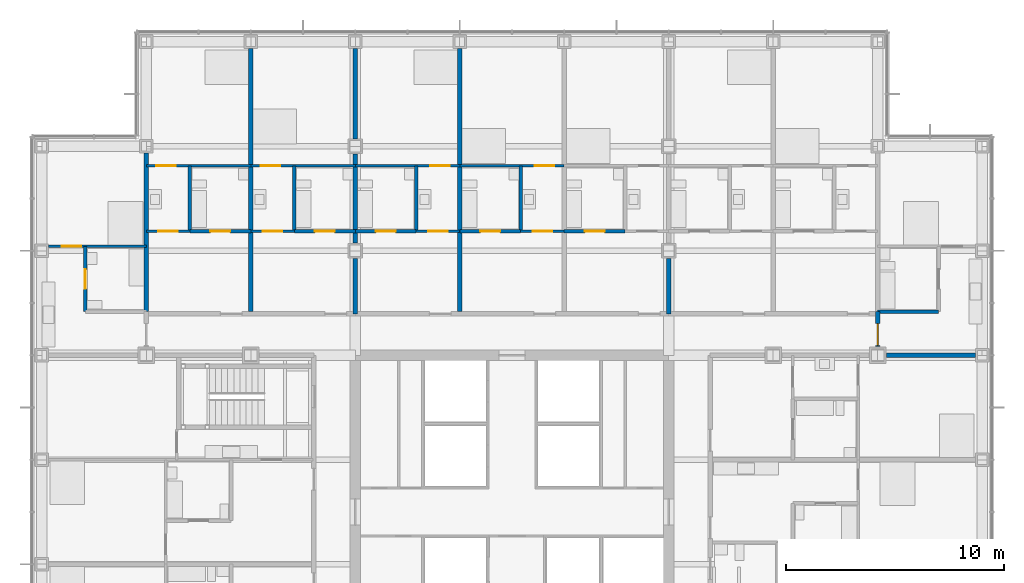
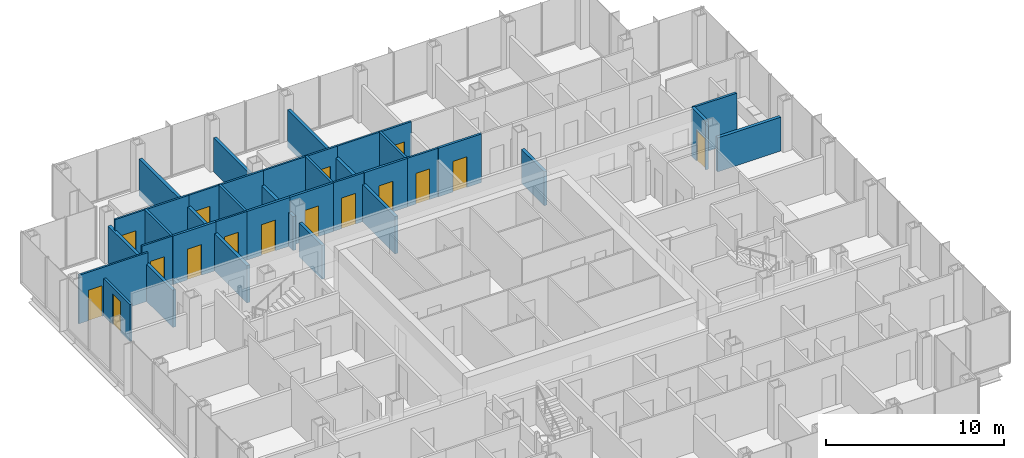
# One storey, part 18 of 22: 29 walls, 16 doors, 16 openings.
"""IFC4 building model written with IfcOpenShell, lengths in metres."""

import ifcopenshell
import ifcopenshell.guid

model = None  # the IFC model being written
_history = None  # IfcOwnerHistory: only IFC2X3 demands one
_inside = {}  # id of a spatial element -> (the spatial element, [elements in it])
_under = {}  # id of a project, library or spatial element -> (it, [spatial elements below it])
_declared = {}  # id of a project -> (the project, [libraries it declares])
_typed = {}  # id of a type object -> (the type object, [elements of that type])
_made_of = {}  # id of a material, layer set ... -> (it, [elements and type objects made of it])


def new_model(schema):
    """Start an empty IFC model of exactly this schema.

    Asked for "IFC4X3", IfcOpenShell would pick the latest addendum, in which some entities
    have other attributes; the version numbers below select the first issue.
    IFC2X3 requires an IfcOwnerHistory on every rooted entity: one is made here for all.
    """
    global model, _history
    if schema == "IFC4X3":
        model = ifcopenshell.file(schema_version=(4, 3, 0, 0))
    else:
        model = ifcopenshell.file(schema=schema)
    _inside.clear()
    _under.clear()
    _declared.clear()
    _typed.clear()
    _made_of.clear()
    _history = None
    if model.schema == "IFC2X3":
        org = make("IfcOrganization", Name="unknown")
        user = make(
            "IfcPersonAndOrganization",
            ThePerson=make("IfcPerson", FamilyName="unknown"),
            TheOrganization=org,
        )
        app = make(
            "IfcApplication",
            ApplicationDeveloper=org,
            Version="unknown",
            ApplicationFullName="unknown",
            ApplicationIdentifier="unknown",
        )
        _history = make(
            "IfcOwnerHistory",
            OwningUser=user,
            OwningApplication=app,
            ChangeAction="ADDED",
            CreationDate=0,
        )
    return model


def make(cls, **values):
    """One entity of the class cls with the attributes given. An attribute that is None is left unset."""
    return model.create_entity(
        cls, **{name: value for name, value in values.items() if value is not None}
    )


def rooted(cls, **values):
    """An entity with a GlobalId (a new one), such as an element, a storey or a relation."""
    return make(cls, GlobalId=ifcopenshell.guid.new(), OwnerHistory=_history, **values)


def si_unit(unit_type, name, prefix=None):
    """IfcSIUnit, for example si_unit("LENGTHUNIT", "METRE", prefix="MILLI")."""
    return make("IfcSIUnit", UnitType=unit_type, Prefix=prefix, Name=name)


def assignment(units):
    """IfcUnitAssignment: the units of a project."""
    return None if units is None else make("IfcUnitAssignment", Units=units)


def point(xyz):
    """IfcCartesianPoint."""
    return None if xyz is None else make("IfcCartesianPoint", Coordinates=xyz)


def direction(xyz):
    """IfcDirection."""
    return None if xyz is None else make("IfcDirection", DirectionRatios=xyz)


def frame(location, z_axis=None, x_axis=None):
    """IfcAxis2Placement3D, a coordinate frame: its origin and axes. An axis left out is left unset."""
    return make(
        "IfcAxis2Placement3D",
        Location=point(location),
        Axis=direction(z_axis),
        RefDirection=direction(x_axis),
    )


def frame_2d(location, x_axis=None):
    """IfcAxis2Placement2D, a coordinate frame in the plane: its origin and x axis."""
    return make(
        "IfcAxis2Placement2D", Location=point(location), RefDirection=direction(x_axis)
    )


def origin():
    """The frame at (0, 0, 0) with its axes left unset."""
    return frame((0.0, 0.0, 0.0))


def place(relative_to, where):
    """IfcLocalPlacement: puts the frame where relative to a parent placement (None: the world)."""
    return make(
        "IfcLocalPlacement", PlacementRelTo=relative_to, RelativePlacement=where
    )


def context(
    kind, dimensions, precision=None, world=None, true_north=None, identifier=None
):
    """IfcGeometricRepresentationContext, for example the 3D "Model" context."""
    return make(
        "IfcGeometricRepresentationContext",
        ContextIdentifier=identifier,
        ContextType=kind,
        CoordinateSpaceDimension=dimensions,
        Precision=precision,
        WorldCoordinateSystem=world,
        TrueNorth=true_north,
    )


def subcontext(parent, identifier, kind, view, scale=None):
    """IfcGeometricRepresentationSubContext, for example "Body" below "Model"."""
    return make(
        "IfcGeometricRepresentationSubContext",
        ContextIdentifier=identifier,
        ContextType=kind,
        ParentContext=parent,
        TargetScale=scale,
        TargetView=view,
    )


def project(units=None, contexts=None):
    """IfcProject with its units and contexts."""
    return rooted(
        "IfcProject",
        Name="project",
        RepresentationContexts=contexts,
        UnitsInContext=assignment(units),
    )


def spatial(cls, under=None, at=None, **own):
    """A site, building, storey or space (cls), placed at a placement, below another one or the project."""
    s = rooted(cls, ObjectPlacement=at, **own)
    if under is not None:
        _under.setdefault(under.id(), (under, []))[1].append(s)
    return s


def profile(cls, at=None, kind="AREA", **sizes):
    """A parametric profile (cls). Its sizes go by their IFC names, for example OverallWidth=200.0."""
    return make(cls, ProfileType=kind, Position=at, **sizes)


def rectangle(**sizes):
    """IfcRectangleProfileDef."""
    return profile("IfcRectangleProfileDef", **sizes)


def extrude(swept, where, along, depth):
    """IfcExtrudedAreaSolid: the profile swept, set in the frame where, extruded along a direction by depth."""
    return make(
        "IfcExtrudedAreaSolid",
        SweptArea=swept,
        Position=where,
        ExtrudedDirection=direction(along),
        Depth=depth,
    )


def shape(context_of_items, identifier, shape_type, items):
    """IfcShapeRepresentation: the items that make up one representation, for example the "Body"."""
    return make(
        "IfcShapeRepresentation",
        ContextOfItems=context_of_items,
        RepresentationIdentifier=identifier,
        RepresentationType=shape_type,
        Items=items,
    )


def material(Name=None, Category=None):
    """IfcMaterial."""
    return make("IfcMaterial", Name=Name, Category=Category)


def layer(
    of_material, thickness, ventilated=None, Name=None, Category=None, Priority=None
):
    """IfcMaterialLayer: one layer of a wall or slab, of a material (None: an air gap)."""
    return make(
        "IfcMaterialLayer",
        Material=of_material,
        LayerThickness=thickness,
        IsVentilated=ventilated,
        Name=Name,
        Category=Category,
        Priority=Priority,
    )


def layer_set(layers, Name=None):
    """IfcMaterialLayerSet."""
    return make("IfcMaterialLayerSet", MaterialLayers=layers, LayerSetName=Name)


def made_of(thing, what):
    """Note that an element or type object is made of a material, layer set ...; save() writes the relation."""
    if what is not None:
        _made_of.setdefault(what.id(), (what, []))[1].append(thing)
    return thing


def type_object(cls, material=None, **own):
    """A type object (cls), such as IfcWallType, which elements share."""
    return made_of(rooted(cls, **own), material)


def element(
    cls,
    number,
    at=None,
    inside=None,
    cuts=None,
    type_object=None,
    material=None,
    context=None,
    identifier="Body",
    shape_type=None,
    held_by="IfcProductDefinitionShape",
    body=None,
    shapes=None,
    **own,
):
    """One element of the class cls, such as IfcWall. Its Tag is "e" and its number.

    at: its placement. inside: the storey or other place that contains it. cuts: it is an
    opening in that element (IfcRelVoidsElement). A single representation is given by context,
    identifier, shape_type and body (its items); several are given by shapes. held_by: the class
    of the entity that holds the representations. save() writes the other relations.
    """
    e = rooted(cls, Tag="e%d" % number, ObjectPlacement=at, **own)
    if body is not None:
        shapes = [shape(context, identifier, shape_type, body)]
    if shapes is not None:
        e.Representation = make(held_by, Representations=shapes)
    if inside is not None:
        _inside.setdefault(inside.id(), (inside, []))[1].append(e)
    if cuts is not None:
        rooted(
            "IfcRelVoidsElement", RelatingBuildingElement=cuts, RelatedOpeningElement=e
        )
    if type_object is not None:
        _typed.setdefault(type_object.id(), (type_object, []))[1].append(e)
    return made_of(e, material)


def fill(opening, filler):
    """IfcRelFillsElement: the door or window that sits in an opening."""
    return rooted(
        "IfcRelFillsElement",
        RelatingOpeningElement=opening,
        RelatedBuildingElement=filler,
    )


def aggregate(whole, parts):
    """IfcRelAggregates: a whole, such as a stair, and the parts it consists of."""
    return rooted("IfcRelAggregates", RelatingObject=whole, RelatedObjects=parts)


def save(model, path):
    """Write the relations noted so far, then the file.

    IfcRelAggregates (storeys below a building ...), IfcRelContainedInSpatialStructure (elements
    in a storey), IfcRelDefinesByType, IfcRelAssociatesMaterial and IfcRelDeclares: one each for
    every whole, place, type object, material and project.
    """
    for whole, parts in _under.values():
        aggregate(whole, parts)
    for where, things in _inside.values():
        rooted(
            "IfcRelContainedInSpatialStructure",
            RelatedElements=things,
            RelatingStructure=where,
        )
    for kind, things in _typed.values():
        rooted("IfcRelDefinesByType", RelatedObjects=things, RelatingType=kind)
    for what, things in _made_of.values():
        rooted("IfcRelAssociatesMaterial", RelatedObjects=things, RelatingMaterial=what)
    for by, libraries in _declared.values():
        rooted("IfcRelDeclares", RelatingContext=by, RelatedDefinitions=libraries)
    model.write(path)


model = new_model("IFC4")

# Units and contexts
model_context = context("Model", 3, precision=1e-05, world=origin(), true_north=direction((0.0, 1.0)))
body_context = subcontext(model_context, "Body", "Model", "MODEL_VIEW")
ifc_project = project(units=[si_unit("LENGTHUNIT", "METRE"), si_unit("AREAUNIT", "SQUARE_METRE"), si_unit("VOLUMEUNIT", "CUBIC_METRE"), si_unit("PLANEANGLEUNIT", "RADIAN"), si_unit("MASSUNIT", "GRAM", prefix="KILO")], contexts=[model_context])

# Site, building, storey
site_placement = place(None, origin())
site = spatial("IfcSite", under=ifc_project, at=site_placement, CompositionType="ELEMENT")
building_placement = place(site_placement, origin())
building = spatial("IfcBuilding", under=site, at=building_placement, Name="Kvirike Care Tower", CompositionType="ELEMENT")
storey_placement = place(building_placement, frame((0.0, 0.0, 72.5)))
storey = spatial("IfcBuildingStorey", under=building, at=storey_placement, Name="L19", CompositionType="ELEMENT", Elevation=72.5)

# Wall
ifc_material_1 = material(Name="Moisture-resistant board partition", Category="gypsum")
ifc_layer_1 = layer(ifc_material_1, 0.14990234375)
ifc_layer_set_1 = layer_set([ifc_layer_1], Name="BATHROOM WALL 150")
wall_type_1 = type_object("IfcWallType", Name="BATHROOM WALL 150", PredefinedType="PARTITIONING", material=ifc_layer_set_1)
wall_1_placement = place(storey_placement, frame((11.60009765625, 51.89990234375, 0.0), z_axis=(0.0, 0.0, 1.0), x_axis=(0.0, -1.0, 0.0)))
element("IfcWall", 1, at=wall_1_placement, inside=storey, type_object=wall_type_1, Name="Bathroom Wall 150 L19", PredefinedType="PARTITIONING", context=body_context, shape_type="SweptSolid", body=[
    extrude(rectangle(XDim=3.0, YDim=0.14990234375, at=frame_2d((1.5, 0.0))), origin(), (0.0, 0.0, 1.0), 3.330078125),
])

# Wall, opening, door
wall_2_placement = place(storey_placement, frame((14.39990234375, 48.89990234375, 0.0), z_axis=(0.0, 0.0, 1.0), x_axis=(-1.0, 0.0, 0.0)))
wall_2 = element("IfcWall", 2, at=wall_2_placement, inside=storey, type_object=wall_type_1, Name="Bathroom Wall 150 L19", PredefinedType="PARTITIONING", context=body_context, shape_type="SweptSolid", body=[
    extrude(rectangle(XDim=2.7998046875, YDim=0.14990234375, at=frame_2d((1.39990234375, 0.0))), origin(), (0.0, 0.0, 1.0), 3.330078125),
])
opening_1_placement = place(wall_2_placement, frame((0.949951171875, 0.0, 0.0)))
opening_1 = element("IfcOpeningElement", 3, at=opening_1_placement, cuts=wall_2, Name="Opening 19-022", PredefinedType="OPENING", context=body_context, shape_type="SweptSolid", body=[
    extrude(rectangle(XDim=0.89990234375, YDim=2.10009765625, at=frame_2d((0.449951171875, 1.050048828125))), frame((0.0, 0.08544921875, 0.0), z_axis=(0.0, -1.0, 0.0), x_axis=(1.0, 0.0, 0.0)), (0.0, 0.0, 1.0), 0.1708984375),
])
ifc_material_2 = material(Name="Timber door set", Category="wood")
door_type_1 = type_object("IfcDoorType", Name="BATHROOM DOOR 900", OperationType="SINGLE_SWING_RIGHT", PredefinedType="DOOR", material=ifc_material_2)
door_1_placement = place(opening_1_placement, frame((0.89990234375, 0.0, 0.0), z_axis=(0.0, 0.0, 1.0), x_axis=(-1.0, 0.0, 0.0)))
door_1 = element("IfcDoor", 4, at=door_1_placement, inside=storey, type_object=door_type_1, Name="Bathroom door", OperationType="SINGLE_SWING_RIGHT", OverallHeight=2.10009765625, OverallWidth=0.89990234375, PredefinedType="DOOR", context=body_context, shape_type="SweptSolid", body=[
    extrude(rectangle(XDim=0.89990234375, YDim=2.10009765625, at=frame_2d((0.449951171875, 1.050048828125))), frame((0.0, 0.02197265625, 0.0), z_axis=(0.0, -1.0, 0.0), x_axis=(1.0, 0.0, 0.0)), (0.0, 0.0, 1.0), 0.0439453125),
])
fill(opening_1, door_1)

# Wall
wall_3_placement = place(storey_placement, frame((6.800048828125, 51.89990234375, 0.0), z_axis=(0.0, 0.0, 1.0), x_axis=(0.0, -1.0, 0.0)))
element("IfcWall", 5, at=wall_3_placement, inside=storey, type_object=wall_type_1, Name="Bathroom Wall 150 L19", PredefinedType="PARTITIONING", context=body_context, shape_type="SweptSolid", body=[
    extrude(rectangle(XDim=3.0, YDim=0.14990234375, at=frame_2d((1.5, 0.0))), origin(), (0.0, 0.0, 1.0), 3.330078125),
])

# Wall, opening, door
wall_4_placement = place(storey_placement, frame((9.60009765625, 48.89990234375, 0.0), z_axis=(0.0, 0.0, 1.0), x_axis=(-1.0, 0.0, 0.0)))
wall_4 = element("IfcWall", 6, at=wall_4_placement, inside=storey, type_object=wall_type_1, Name="Bathroom Wall 150 L19", PredefinedType="PARTITIONING", context=body_context, shape_type="SweptSolid", body=[
    extrude(rectangle(XDim=2.800048828125, YDim=0.14990234375, at=frame_2d((1.39990234375, 0.0))), origin(), (0.0, 0.0, 1.0), 3.330078125),
])
opening_2_placement = place(wall_4_placement, frame((0.949951171875, 0.0, 0.0)))
opening_2 = element("IfcOpeningElement", 7, at=opening_2_placement, cuts=wall_4, Name="Opening 19-025", PredefinedType="OPENING", context=body_context, shape_type="SweptSolid", body=[
    extrude(rectangle(XDim=0.89990234375, YDim=2.10009765625, at=frame_2d((0.449951171875, 1.050048828125))), frame((0.0, 0.08544921875, 0.0), z_axis=(0.0, -1.0, 0.0), x_axis=(1.0, 0.0, 0.0)), (0.0, 0.0, 1.0), 0.1708984375),
])
door_2_placement = place(opening_2_placement, frame((0.89990234375, 0.0, 0.0), z_axis=(0.0, 0.0, 1.0), x_axis=(-1.0, 0.0, 0.0)))
door_2 = element("IfcDoor", 8, at=door_2_placement, inside=storey, type_object=door_type_1, Name="Bathroom door", OperationType="SINGLE_SWING_LEFT", OverallHeight=2.10009765625, OverallWidth=0.89990234375, PredefinedType="DOOR", context=body_context, shape_type="SweptSolid", body=[
    extrude(rectangle(XDim=0.89990234375, YDim=2.10009765625, at=frame_2d((0.449951171875, 1.050048828125))), frame((0.0, 0.02197265625, 0.0), z_axis=(0.0, -1.0, 0.0), x_axis=(1.0, 0.0, 0.0)), (0.0, 0.0, 1.0), 0.0439453125),
])
fill(opening_2, door_2)

wall_5_placement = place(storey_placement, frame((2.0, 48.199951171875, 0.0), z_axis=(0.0, 0.0, 1.0), x_axis=(0.0, -1.0, 0.0)))
wall_5 = element("IfcWall", 9, at=wall_5_placement, inside=storey, type_object=wall_type_1, Name="Bathroom Wall 150 L19", PredefinedType="PARTITIONING", context=body_context, shape_type="SweptSolid", body=[
    extrude(rectangle(XDim=3.0, YDim=0.14990234375, at=frame_2d((1.5, 0.0))), origin(), (0.0, 0.0, 1.0), 2.550048828125),
])
opening_3_placement = place(wall_5_placement, frame((1.050048828125, 0.0, 0.0)))
opening_3 = element("IfcOpeningElement", 10, at=opening_3_placement, cuts=wall_5, Name="Opening 19-028", PredefinedType="OPENING", context=body_context, shape_type="SweptSolid", body=[
    extrude(rectangle(XDim=0.89990234375, YDim=2.10009765625, at=frame_2d((0.449951171875, 1.050048828125))), frame((0.0, 0.08544921875, 0.0), z_axis=(0.0, -1.0, 0.0), x_axis=(1.0, 0.0, 0.0)), (0.0, 0.0, 1.0), 0.1708984375),
])
door_3_placement = place(opening_3_placement, origin())
door_3 = element("IfcDoor", 11, at=door_3_placement, inside=storey, type_object=door_type_1, Name="Bathroom door", OperationType="SINGLE_SWING_RIGHT", OverallHeight=2.10009765625, OverallWidth=0.89990234375, PredefinedType="DOOR", context=body_context, shape_type="SweptSolid", body=[
    extrude(rectangle(XDim=0.89990234375, YDim=2.10009765625, at=frame_2d((0.449951171875, 1.050048828125))), frame((0.0, 0.02197265625, 0.0), z_axis=(0.0, -1.0, 0.0), x_axis=(1.0, 0.0, 0.0)), (0.0, 0.0, 1.0), 0.0439453125),
])
fill(opening_3, door_3)

wall_6_placement = place(storey_placement, frame((26.800048828125, 48.89990234375, 0.0), z_axis=(0.0, 0.0, 1.0), x_axis=(-1.0, 0.0, 0.0)))
wall_6 = element("IfcWall", 12, at=wall_6_placement, inside=storey, type_object=wall_type_1, Name="Bathroom Wall 150 L19", PredefinedType="PARTITIONING", context=body_context, shape_type="SweptSolid", body=[
    extrude(rectangle(XDim=2.800048828125, YDim=0.14990234375, at=frame_2d((1.39990234375, 0.0))), origin(), (0.0, 0.0, 1.0), 3.330078125),
])
opening_4_placement = place(wall_6_placement, frame((0.949951171875, 0.0, 0.0)))
opening_4 = element("IfcOpeningElement", 13, at=opening_4_placement, cuts=wall_6, Name="Opening 19-043", PredefinedType="OPENING", context=body_context, shape_type="SweptSolid", body=[
    extrude(rectangle(XDim=0.89990234375, YDim=2.10009765625, at=frame_2d((0.449951171875, 1.050048828125))), frame((0.0, 0.08544921875, 0.0), z_axis=(0.0, -1.0, 0.0), x_axis=(1.0, 0.0, 0.0)), (0.0, 0.0, 1.0), 0.1708984375),
])
door_4_placement = place(opening_4_placement, frame((0.89990234375, 0.0, 0.0), z_axis=(0.0, 0.0, 1.0), x_axis=(-1.0, 0.0, 0.0)))
door_4 = element("IfcDoor", 14, at=door_4_placement, inside=storey, type_object=door_type_1, Name="Bathroom door", OperationType="SINGLE_SWING_LEFT", OverallHeight=2.10009765625, OverallWidth=0.89990234375, PredefinedType="DOOR", context=body_context, shape_type="SweptSolid", body=[
    extrude(rectangle(XDim=0.89990234375, YDim=2.10009765625, at=frame_2d((0.449951171875, 1.050048828125))), frame((0.0, 0.02197265625, 0.0), z_axis=(0.0, -1.0, 0.0), x_axis=(1.0, 0.0, 0.0)), (0.0, 0.0, 1.0), 0.0439453125),
])
fill(opening_4, door_4)

# Wall
wall_7_placement = place(storey_placement, frame((22.0, 51.89990234375, 0.0), z_axis=(0.0, 0.0, 1.0), x_axis=(0.0, -1.0, 0.0)))
element("IfcWall", 15, at=wall_7_placement, inside=storey, type_object=wall_type_1, Name="Bathroom Wall 150 L19", PredefinedType="PARTITIONING", context=body_context, shape_type="SweptSolid", body=[
    extrude(rectangle(XDim=3.0, YDim=0.14990234375, at=frame_2d((1.5, 0.0))), origin(), (0.0, 0.0, 1.0), 3.330078125),
])

# Wall, opening, door
wall_8_placement = place(storey_placement, frame((22.0, 48.89990234375, 0.0), z_axis=(0.0, 0.0, 1.0), x_axis=(-1.0, 0.0, 0.0)))
wall_8 = element("IfcWall", 16, at=wall_8_placement, inside=storey, type_object=wall_type_1, Name="Bathroom Wall 150 L19", PredefinedType="PARTITIONING", context=body_context, shape_type="SweptSolid", body=[
    extrude(rectangle(XDim=2.800048828125, YDim=0.14990234375, at=frame_2d((1.39990234375, 0.0))), origin(), (0.0, 0.0, 1.0), 3.330078125),
])
opening_5_placement = place(wall_8_placement, frame((0.949951171875, 0.0, 0.0)))
opening_5 = element("IfcOpeningElement", 17, at=opening_5_placement, cuts=wall_8, Name="Opening 19-046", PredefinedType="OPENING", context=body_context, shape_type="SweptSolid", body=[
    extrude(rectangle(XDim=0.89990234375, YDim=2.10009765625, at=frame_2d((0.449951171875, 1.050048828125))), frame((0.0, 0.08544921875, 0.0), z_axis=(0.0, -1.0, 0.0), x_axis=(1.0, 0.0, 0.0)), (0.0, 0.0, 1.0), 0.1708984375),
])
door_5_placement = place(opening_5_placement, frame((0.89990234375, 0.0, 0.0), z_axis=(0.0, 0.0, 1.0), x_axis=(-1.0, 0.0, 0.0)))
door_5 = element("IfcDoor", 18, at=door_5_placement, inside=storey, type_object=door_type_1, Name="Bathroom door", OperationType="SINGLE_SWING_RIGHT", OverallHeight=2.10009765625, OverallWidth=0.89990234375, PredefinedType="DOOR", context=body_context, shape_type="SweptSolid", body=[
    extrude(rectangle(XDim=0.89990234375, YDim=2.10009765625, at=frame_2d((0.449951171875, 1.050048828125))), frame((0.0, 0.02197265625, 0.0), z_axis=(0.0, -1.0, 0.0), x_axis=(1.0, 0.0, 0.0)), (0.0, 0.0, 1.0), 0.0439453125),
])
fill(opening_5, door_5)

# Wall
wall_9_placement = place(storey_placement, frame((17.199951171875, 51.89990234375, 0.0), z_axis=(0.0, 0.0, 1.0), x_axis=(0.0, -1.0, 0.0)))
element("IfcWall", 19, at=wall_9_placement, inside=storey, type_object=wall_type_1, Name="Bathroom Wall 150 L19", PredefinedType="PARTITIONING", context=body_context, shape_type="SweptSolid", body=[
    extrude(rectangle(XDim=3.0, YDim=0.14990234375, at=frame_2d((1.5, 0.0))), origin(), (0.0, 0.0, 1.0), 3.330078125),
])

# Wall, opening, door
wall_10_placement = place(storey_placement, frame((17.199951171875, 48.89990234375, 0.0), z_axis=(0.0, 0.0, 1.0), x_axis=(-1.0, 0.0, 0.0)))
wall_10 = element("IfcWall", 20, at=wall_10_placement, inside=storey, type_object=wall_type_1, Name="Bathroom Wall 150 L19", PredefinedType="PARTITIONING", context=body_context, shape_type="SweptSolid", body=[
    extrude(rectangle(XDim=2.800048828125, YDim=0.14990234375, at=frame_2d((1.39990234375, 0.0))), origin(), (0.0, 0.0, 1.0), 3.330078125),
])
opening_6_placement = place(wall_10_placement, frame((0.949951171875, 0.0, 0.0)))
opening_6 = element("IfcOpeningElement", 21, at=opening_6_placement, cuts=wall_10, Name="Opening 19-049", PredefinedType="OPENING", context=body_context, shape_type="SweptSolid", body=[
    extrude(rectangle(XDim=0.89990234375, YDim=2.10009765625, at=frame_2d((0.449951171875, 1.050048828125))), frame((0.0, 0.08544921875, 0.0), z_axis=(0.0, -1.0, 0.0), x_axis=(1.0, 0.0, 0.0)), (0.0, 0.0, 1.0), 0.1708984375),
])
door_6_placement = place(opening_6_placement, frame((0.89990234375, 0.0, 0.0), z_axis=(0.0, 0.0, 1.0), x_axis=(-1.0, 0.0, 0.0)))
door_6 = element("IfcDoor", 22, at=door_6_placement, inside=storey, type_object=door_type_1, Name="Bathroom door", OperationType="SINGLE_SWING_LEFT", OverallHeight=2.10009765625, OverallWidth=0.89990234375, PredefinedType="DOOR", context=body_context, shape_type="SweptSolid", body=[
    extrude(rectangle(XDim=0.89990234375, YDim=2.10009765625, at=frame_2d((0.449951171875, 1.050048828125))), frame((0.0, 0.02197265625, 0.0), z_axis=(0.0, -1.0, 0.0), x_axis=(1.0, 0.0, 0.0)), (0.0, 0.0, 1.0), 0.0439453125),
])
fill(opening_6, door_6)

# Wall
wall_11_placement = place(storey_placement, frame((41.199951171875, 45.199951171875, 0.0), z_axis=(0.0, 0.0, 1.0), x_axis=(-1.0, 0.0, 0.0)))
element("IfcWall", 23, at=wall_11_placement, inside=storey, type_object=wall_type_1, Name="Bathroom Wall 150 L19", PredefinedType="PARTITIONING", context=body_context, shape_type="SweptSolid", body=[
    extrude(rectangle(XDim=2.800048828125, YDim=0.14990234375, at=frame_2d((1.39990234375, 0.0))), origin(), (0.0, 0.0, 1.0), 3.330078125),
])

# Wall, opening, door
ifc_material_3 = material(Name="Plasterboard corridor wall", Category="gypsum")
ifc_layer_2 = layer(ifc_material_3, 0.199951171875)
ifc_layer_set_2 = layer_set([ifc_layer_2], Name="CORRIDOR WALL 200")
wall_type_2 = type_object("IfcWallType", Name="CORRIDOR WALL 200", PredefinedType="PARTITIONING", material=ifc_layer_set_2)
wall_12_placement = place(storey_placement, frame((38.39990234375, 45.199951171875, 0.0), z_axis=(0.0, 0.0, 1.0), x_axis=(0.0, -1.0, 0.0)))
wall_12 = element("IfcWall", 24, at=wall_12_placement, inside=storey, type_object=wall_type_2, Name="Corridor Wall 200 L19", PredefinedType="PARTITIONING", context=body_context, shape_type="SweptSolid", body=[
    extrude(rectangle(XDim=1.60498046875, YDim=0.199951171875, at=frame_2d((0.802490234375, 0.0))), origin(), (0.0, 0.0, 1.0), 3.330078125),
])
opening_7_placement = place(wall_12_placement, frame((0.550048828125, 0.0, 0.0)))
opening_7 = element("IfcOpeningElement", 25, at=opening_7_placement, cuts=wall_12, Name="Opening 19-086", PredefinedType="OPENING", context=body_context, shape_type="SweptSolid", body=[
    extrude(rectangle(XDim=1.0, YDim=2.10009765625, at=frame_2d((0.5, 1.050048828125))), frame((0.0, 0.110595703125, 0.0), z_axis=(0.0, -1.0, 0.0), x_axis=(1.0, 0.0, 0.0)), (0.0, 0.0, 1.0), 0.220947265625),
])
ifc_material_4 = material(Name="Timber door set", Category="wood")
door_type_2 = type_object("IfcDoorType", Name="FLAT ENTRANCE DOOR 1000", OperationType="SINGLE_SWING_LEFT", PredefinedType="DOOR", material=ifc_material_4)
door_7_placement = place(opening_7_placement, origin())
door_7 = element("IfcDoor", 26, at=door_7_placement, inside=storey, type_object=door_type_2, Name="Studio apartment entrance", OperationType="SINGLE_SWING_LEFT", OverallHeight=2.10009765625, OverallWidth=1.0, PredefinedType="DOOR", context=body_context, shape_type="SweptSolid", body=[
    extrude(rectangle(XDim=1.0, YDim=2.10009765625, at=frame_2d((0.5, 1.050048828125))), frame((0.0, 0.02685546875, 0.0), z_axis=(0.0, -1.0, 0.0), x_axis=(1.0, 0.0, 0.0)), (0.0, 0.0, 1.0), 0.053955078125),
])
fill(opening_7, door_7)

ifc_material_5 = material(Name="Plasterboard partition", Category="gypsum")
ifc_layer_3 = layer(ifc_material_5, 0.1201171875)
ifc_layer_set_3 = layer_set([ifc_layer_3], Name="PARTITION 120")
wall_type_3 = type_object("IfcWallType", Name="PARTITION 120", PredefinedType="PARTITIONING", material=ifc_layer_set_3)
wall_13_placement = place(storey_placement, frame((11.60009765625, 48.89990234375, 0.0), z_axis=(0.0, 0.0, 1.0), x_axis=(-1.0, 0.0, 0.0)))
wall_13 = element("IfcWall", 27, at=wall_13_placement, inside=storey, type_object=wall_type_3, Name="Partition 120 L19", PredefinedType="PARTITIONING", context=body_context, shape_type="SweptSolid", body=[
    extrude(rectangle(XDim=2.0, YDim=0.1201171875, at=frame_2d((1.0, 0.0))), origin(), (0.0, 0.0, 1.0), 3.330078125),
])
opening_8_placement = place(wall_13_placement, frame((0.550048828125, 0.0, 0.0)))
opening_8 = element("IfcOpeningElement", 28, at=opening_8_placement, cuts=wall_13, Name="Opening 19-023", PredefinedType="OPENING", context=body_context, shape_type="SweptSolid", body=[
    extrude(rectangle(XDim=0.89990234375, YDim=2.10009765625, at=frame_2d((0.449951171875, 1.050048828125))), frame((0.0, 0.070556640625, 0.0), z_axis=(0.0, -1.0, 0.0), x_axis=(1.0, 0.0, 0.0)), (0.0, 0.0, 1.0), 0.14111328125),
])
ifc_material_6 = material(Name="Timber door set", Category="wood")
door_type_3 = type_object("IfcDoorType", Name="INTERNAL DOOR 900", OperationType="SINGLE_SWING_LEFT", PredefinedType="DOOR", material=ifc_material_6)
door_8_placement = place(opening_8_placement, frame((0.89990234375, 0.0, 0.0), z_axis=(0.0, 0.0, 1.0), x_axis=(-1.0, 0.0, 0.0)))
door_8 = element("IfcDoor", 29, at=door_8_placement, inside=storey, type_object=door_type_3, Name="Kitchen door", OperationType="SINGLE_SWING_LEFT", OverallHeight=2.10009765625, OverallWidth=0.89990234375, PredefinedType="DOOR", context=body_context, shape_type="SweptSolid", body=[
    extrude(rectangle(XDim=0.89990234375, YDim=2.10009765625, at=frame_2d((0.449951171875, 1.050048828125))), frame((0.0, 0.02197265625, 0.0), z_axis=(0.0, -1.0, 0.0), x_axis=(1.0, 0.0, 0.0)), (0.0, 0.0, 1.0), 0.0439453125),
])
fill(opening_8, door_8)

wall_14_placement = place(storey_placement, frame((14.39990234375, 51.89990234375, 0.0), z_axis=(0.0, 0.0, 1.0), x_axis=(-1.0, 0.0, 0.0)))
wall_14 = element("IfcWall", 30, at=wall_14_placement, inside=storey, type_object=wall_type_3, Name="Partition 120 L19", PredefinedType="PARTITIONING", context=body_context, shape_type="SweptSolid", body=[
    extrude(rectangle(XDim=4.7998046875, YDim=0.1201171875, at=frame_2d((2.39990234375, 0.0))), origin(), (0.0, 0.0, 1.0), 3.330078125),
])
opening_9_placement = place(wall_14_placement, frame((3.449951171875, 0.0, 0.0)))
opening_9 = element("IfcOpeningElement", 31, at=opening_9_placement, cuts=wall_14, Name="Opening 19-024", PredefinedType="OPENING", context=body_context, shape_type="SweptSolid", body=[
    extrude(rectangle(XDim=0.89990234375, YDim=2.10009765625, at=frame_2d((0.449951171875, 1.050048828125))), frame((0.0, 0.070556640625, 0.0), z_axis=(0.0, -1.0, 0.0), x_axis=(1.0, 0.0, 0.0)), (0.0, 0.0, 1.0), 0.14111328125),
])
door_9_placement = place(opening_9_placement, origin())
door_9 = element("IfcDoor", 32, at=door_9_placement, inside=storey, type_object=door_type_3, Name="Studio apartment living room door", OperationType="SINGLE_SWING_LEFT", OverallHeight=2.10009765625, OverallWidth=0.89990234375, PredefinedType="DOOR", context=body_context, shape_type="SweptSolid", body=[
    extrude(rectangle(XDim=0.89990234375, YDim=2.10009765625, at=frame_2d((0.449951171875, 1.050048828125))), frame((0.0, 0.02197265625, 0.0), z_axis=(0.0, -1.0, 0.0), x_axis=(1.0, 0.0, 0.0)), (0.0, 0.0, 1.0), 0.0439453125),
])
fill(opening_9, door_9)

wall_15_placement = place(storey_placement, frame((6.800048828125, 48.89990234375, 0.0), z_axis=(0.0, 0.0, 1.0), x_axis=(-1.0, 0.0, 0.0)))
wall_15 = element("IfcWall", 33, at=wall_15_placement, inside=storey, type_object=wall_type_3, Name="Partition 120 L19", PredefinedType="PARTITIONING", context=body_context, shape_type="SweptSolid", body=[
    extrude(rectangle(XDim=2.0, YDim=0.1201171875, at=frame_2d((1.0, 0.0))), origin(), (0.0, 0.0, 1.0), 3.330078125),
])
opening_10_placement = place(wall_15_placement, frame((0.550048828125, 0.0, 0.0)))
opening_10 = element("IfcOpeningElement", 34, at=opening_10_placement, cuts=wall_15, Name="Opening 19-026", PredefinedType="OPENING", context=body_context, shape_type="SweptSolid", body=[
    extrude(rectangle(XDim=0.89990234375, YDim=2.10009765625, at=frame_2d((0.449951171875, 1.050048828125))), frame((0.0, 0.070556640625, 0.0), z_axis=(0.0, -1.0, 0.0), x_axis=(1.0, 0.0, 0.0)), (0.0, 0.0, 1.0), 0.14111328125),
])
door_10_placement = place(opening_10_placement, frame((0.89990234375, 0.0, 0.0), z_axis=(0.0, 0.0, 1.0), x_axis=(-1.0, 0.0, 0.0)))
door_10 = element("IfcDoor", 35, at=door_10_placement, inside=storey, type_object=door_type_3, Name="Kitchen door", OperationType="SINGLE_SWING_RIGHT", OverallHeight=2.10009765625, OverallWidth=0.89990234375, PredefinedType="DOOR", context=body_context, shape_type="SweptSolid", body=[
    extrude(rectangle(XDim=0.89990234375, YDim=2.10009765625, at=frame_2d((0.449951171875, 1.050048828125))), frame((0.0, 0.02197265625, 0.0), z_axis=(0.0, -1.0, 0.0), x_axis=(1.0, 0.0, 0.0)), (0.0, 0.0, 1.0), 0.0439453125),
])
fill(opening_10, door_10)

wall_16_placement = place(storey_placement, frame((9.60009765625, 51.89990234375, 0.0), z_axis=(0.0, 0.0, 1.0), x_axis=(-1.0, 0.0, 0.0)))
wall_16 = element("IfcWall", 36, at=wall_16_placement, inside=storey, type_object=wall_type_3, Name="Partition 120 L19", PredefinedType="PARTITIONING", context=body_context, shape_type="SweptSolid", body=[
    extrude(rectangle(XDim=4.800048828125, YDim=0.1201171875, at=frame_2d((2.39990234375, 0.0))), origin(), (0.0, 0.0, 1.0), 3.330078125),
])
opening_11_placement = place(wall_16_placement, frame((3.449951171875, 0.0, 0.0)))
opening_11 = element("IfcOpeningElement", 37, at=opening_11_placement, cuts=wall_16, Name="Opening 19-027", PredefinedType="OPENING", context=body_context, shape_type="SweptSolid", body=[
    extrude(rectangle(XDim=0.89990234375, YDim=2.10009765625, at=frame_2d((0.449951171875, 1.050048828125))), frame((0.0, 0.070556640625, 0.0), z_axis=(0.0, -1.0, 0.0), x_axis=(1.0, 0.0, 0.0)), (0.0, 0.0, 1.0), 0.14111328125),
])
door_11_placement = place(opening_11_placement, origin())
door_11 = element("IfcDoor", 38, at=door_11_placement, inside=storey, type_object=door_type_3, Name="Studio apartment living room door", OperationType="SINGLE_SWING_LEFT", OverallHeight=2.10009765625, OverallWidth=0.89990234375, PredefinedType="DOOR", context=body_context, shape_type="SweptSolid", body=[
    extrude(rectangle(XDim=0.89990234375, YDim=2.10009765625, at=frame_2d((0.449951171875, 1.050048828125))), frame((0.0, 0.02197265625, 0.0), z_axis=(0.0, -1.0, 0.0), x_axis=(1.0, 0.0, 0.0)), (0.0, 0.0, 1.0), 0.0439453125),
])
fill(opening_11, door_11)

wall_17_placement = place(storey_placement, frame((4.800048828125, 48.199951171875, 0.0), z_axis=(0.0, 0.0, 1.0), x_axis=(-1.0, 0.0, 0.0)))
wall_17 = element("IfcWall", 39, at=wall_17_placement, inside=storey, type_object=wall_type_3, Name="Partition 120 L19", PredefinedType="PARTITIONING", context=body_context, shape_type="SweptSolid", body=[
    extrude(rectangle(XDim=4.47998046875, YDim=0.1201171875, at=frame_2d((2.239990234375, 0.0))), origin(), (0.0, 0.0, 1.0), 3.330078125),
])
opening_12_placement = place(wall_17_placement, frame((2.97509765625, 0.0, 0.0)))
opening_12 = element("IfcOpeningElement", 40, at=opening_12_placement, cuts=wall_17, Name="Opening 19-029", PredefinedType="OPENING", context=body_context, shape_type="SweptSolid", body=[
    extrude(rectangle(XDim=0.89990234375, YDim=2.10009765625, at=frame_2d((0.449951171875, 1.050048828125))), frame((0.0, 0.070556640625, 0.0), z_axis=(0.0, -1.0, 0.0), x_axis=(1.0, 0.0, 0.0)), (0.0, 0.0, 1.0), 0.14111328125),
])
door_12_placement = place(opening_12_placement, origin())
door_12 = element("IfcDoor", 41, at=door_12_placement, inside=storey, type_object=door_type_3, Name="Studio apartment living room door", OperationType="SINGLE_SWING_RIGHT", OverallHeight=2.10009765625, OverallWidth=0.89990234375, PredefinedType="DOOR", context=body_context, shape_type="SweptSolid", body=[
    extrude(rectangle(XDim=0.89990234375, YDim=2.10009765625, at=frame_2d((0.449951171875, 1.050048828125))), frame((0.0, 0.02197265625, 0.0), z_axis=(0.0, -1.0, 0.0), x_axis=(1.0, 0.0, 0.0)), (0.0, 0.0, 1.0), 0.0439453125),
])
fill(opening_12, door_12)

wall_18_placement = place(storey_placement, frame((24.0, 48.89990234375, 0.0), z_axis=(0.0, 0.0, 1.0), x_axis=(-1.0, 0.0, 0.0)))
wall_18 = element("IfcWall", 42, at=wall_18_placement, inside=storey, type_object=wall_type_3, Name="Partition 120 L19", PredefinedType="PARTITIONING", context=body_context, shape_type="SweptSolid", body=[
    extrude(rectangle(XDim=2.0, YDim=0.1201171875, at=frame_2d((1.0, 0.0))), origin(), (0.0, 0.0, 1.0), 3.330078125),
])
opening_13_placement = place(wall_18_placement, frame((0.550048828125, 0.0, 0.0)))
opening_13 = element("IfcOpeningElement", 43, at=opening_13_placement, cuts=wall_18, Name="Opening 19-047", PredefinedType="OPENING", context=body_context, shape_type="SweptSolid", body=[
    extrude(rectangle(XDim=0.89990234375, YDim=2.10009765625, at=frame_2d((0.449951171875, 1.050048828125))), frame((0.0, 0.070556640625, 0.0), z_axis=(0.0, -1.0, 0.0), x_axis=(1.0, 0.0, 0.0)), (0.0, 0.0, 1.0), 0.14111328125),
])
door_13_placement = place(opening_13_placement, frame((0.89990234375, 0.0, 0.0), z_axis=(0.0, 0.0, 1.0), x_axis=(-1.0, 0.0, 0.0)))
door_13 = element("IfcDoor", 44, at=door_13_placement, inside=storey, type_object=door_type_3, Name="Kitchen door", OperationType="SINGLE_SWING_LEFT", OverallHeight=2.10009765625, OverallWidth=0.89990234375, PredefinedType="DOOR", context=body_context, shape_type="SweptSolid", body=[
    extrude(rectangle(XDim=0.89990234375, YDim=2.10009765625, at=frame_2d((0.449951171875, 1.050048828125))), frame((0.0, 0.02197265625, 0.0), z_axis=(0.0, -1.0, 0.0), x_axis=(1.0, 0.0, 0.0)), (0.0, 0.0, 1.0), 0.0439453125),
])
fill(opening_13, door_13)

wall_19_placement = place(storey_placement, frame((24.0, 51.89990234375, 0.0), z_axis=(0.0, 0.0, 1.0), x_axis=(-1.0, 0.0, 0.0)))
wall_19 = element("IfcWall", 45, at=wall_19_placement, inside=storey, type_object=wall_type_3, Name="Partition 120 L19", PredefinedType="PARTITIONING", context=body_context, shape_type="SweptSolid", body=[
    extrude(rectangle(XDim=4.800048828125, YDim=0.1201171875, at=frame_2d((2.39990234375, 0.0))), origin(), (0.0, 0.0, 1.0), 3.330078125),
])
opening_14_placement = place(wall_19_placement, frame((0.449951171875, 0.0, 0.0)))
opening_14 = element("IfcOpeningElement", 46, at=opening_14_placement, cuts=wall_19, Name="Opening 19-048", PredefinedType="OPENING", context=body_context, shape_type="SweptSolid", body=[
    extrude(rectangle(XDim=0.89990234375, YDim=2.10009765625, at=frame_2d((0.449951171875, 1.050048828125))), frame((0.0, 0.070556640625, 0.0), z_axis=(0.0, -1.0, 0.0), x_axis=(1.0, 0.0, 0.0)), (0.0, 0.0, 1.0), 0.14111328125),
])
door_14_placement = place(opening_14_placement, origin())
door_14 = element("IfcDoor", 47, at=door_14_placement, inside=storey, type_object=door_type_3, Name="Studio apartment living room door", OperationType="SINGLE_SWING_RIGHT", OverallHeight=2.10009765625, OverallWidth=0.89990234375, PredefinedType="DOOR", context=body_context, shape_type="SweptSolid", body=[
    extrude(rectangle(XDim=0.89990234375, YDim=2.10009765625, at=frame_2d((0.449951171875, 1.050048828125))), frame((0.0, 0.02197265625, 0.0), z_axis=(0.0, -1.0, 0.0), x_axis=(1.0, 0.0, 0.0)), (0.0, 0.0, 1.0), 0.0439453125),
])
fill(opening_14, door_14)

wall_20_placement = place(storey_placement, frame((19.199951171875, 48.89990234375, 0.0), z_axis=(0.0, 0.0, 1.0), x_axis=(-1.0, 0.0, 0.0)))
wall_20 = element("IfcWall", 48, at=wall_20_placement, inside=storey, type_object=wall_type_3, Name="Partition 120 L19", PredefinedType="PARTITIONING", context=body_context, shape_type="SweptSolid", body=[
    extrude(rectangle(XDim=2.0, YDim=0.1201171875, at=frame_2d((1.0, 0.0))), origin(), (0.0, 0.0, 1.0), 3.330078125),
])
opening_15_placement = place(wall_20_placement, frame((0.550048828125, 0.0, 0.0)))
opening_15 = element("IfcOpeningElement", 49, at=opening_15_placement, cuts=wall_20, Name="Opening 19-050", PredefinedType="OPENING", context=body_context, shape_type="SweptSolid", body=[
    extrude(rectangle(XDim=0.89990234375, YDim=2.10009765625, at=frame_2d((0.449951171875, 1.050048828125))), frame((0.0, 0.070556640625, 0.0), z_axis=(0.0, -1.0, 0.0), x_axis=(1.0, 0.0, 0.0)), (0.0, 0.0, 1.0), 0.14111328125),
])
door_15_placement = place(opening_15_placement, frame((0.89990234375, 0.0, 0.0), z_axis=(0.0, 0.0, 1.0), x_axis=(-1.0, 0.0, 0.0)))
door_15 = element("IfcDoor", 50, at=door_15_placement, inside=storey, type_object=door_type_3, Name="Kitchen door", OperationType="SINGLE_SWING_LEFT", OverallHeight=2.10009765625, OverallWidth=0.89990234375, PredefinedType="DOOR", context=body_context, shape_type="SweptSolid", body=[
    extrude(rectangle(XDim=0.89990234375, YDim=2.10009765625, at=frame_2d((0.449951171875, 1.050048828125))), frame((0.0, 0.02197265625, 0.0), z_axis=(0.0, -1.0, 0.0), x_axis=(1.0, 0.0, 0.0)), (0.0, 0.0, 1.0), 0.0439453125),
])
fill(opening_15, door_15)

wall_21_placement = place(storey_placement, frame((19.199951171875, 51.89990234375, 0.0), z_axis=(0.0, 0.0, 1.0), x_axis=(-1.0, 0.0, 0.0)))
wall_21 = element("IfcWall", 51, at=wall_21_placement, inside=storey, type_object=wall_type_3, Name="Partition 120 L19", PredefinedType="PARTITIONING", context=body_context, shape_type="SweptSolid", body=[
    extrude(rectangle(XDim=4.800048828125, YDim=0.1201171875, at=frame_2d((2.39990234375, 0.0))), origin(), (0.0, 0.0, 1.0), 3.330078125),
])
opening_16_placement = place(wall_21_placement, frame((0.449951171875, 0.0, 0.0)))
opening_16 = element("IfcOpeningElement", 52, at=opening_16_placement, cuts=wall_21, Name="Opening 19-051", PredefinedType="OPENING", context=body_context, shape_type="SweptSolid", body=[
    extrude(rectangle(XDim=0.89990234375, YDim=2.10009765625, at=frame_2d((0.449951171875, 1.050048828125))), frame((0.0, 0.070556640625, 0.0), z_axis=(0.0, -1.0, 0.0), x_axis=(1.0, 0.0, 0.0)), (0.0, 0.0, 1.0), 0.14111328125),
])
door_16_placement = place(opening_16_placement, origin())
door_16 = element("IfcDoor", 53, at=door_16_placement, inside=storey, type_object=door_type_3, Name="Studio apartment living room door", OperationType="SINGLE_SWING_RIGHT", OverallHeight=2.10009765625, OverallWidth=0.89990234375, PredefinedType="DOOR", context=body_context, shape_type="SweptSolid", body=[
    extrude(rectangle(XDim=0.89990234375, YDim=2.10009765625, at=frame_2d((0.449951171875, 1.050048828125))), frame((0.0, 0.02197265625, 0.0), z_axis=(0.0, -1.0, 0.0), x_axis=(1.0, 0.0, 0.0)), (0.0, 0.0, 1.0), 0.0439453125),
])
fill(opening_16, door_16)

# Walls
ifc_material_7 = material(Name="Plasterboard party wall", Category="gypsum")
ifc_layer_4 = layer(ifc_material_7, 0.199951171875)
ifc_layer_set_4 = layer_set([ifc_layer_4], Name="PARTY WALL 200")
wall_type_4 = type_object("IfcWallType", Name="PARTY WALL 200", PredefinedType="PARTITIONING", material=ifc_layer_set_4)
wall_22_placement = place(storey_placement, frame((9.60009765625, 57.280029296875, 0.0), z_axis=(0.0, 0.0, 1.0), x_axis=(0.0, -1.0, 0.0)))
element("IfcWall", 54, at=wall_22_placement, inside=storey, type_object=wall_type_4, Name="Party Wall 200 L19", PredefinedType="PARTITIONING", context=body_context, shape_type="SweptSolid", body=[
    extrude(rectangle(XDim=12.080078125, YDim=0.199951171875, at=frame_2d((6.0400390625, 0.0))), origin(), (0.0, 0.0, 1.0), 2.550048828125),
])
wall_23_placement = place(storey_placement, frame((4.800048828125, 52.47998046875, 0.0), z_axis=(0.0, 0.0, 1.0), x_axis=(0.0, -1.0, 0.0)))
element("IfcWall", 55, at=wall_23_placement, inside=storey, type_object=wall_type_4, Name="Party Wall 200 L19", PredefinedType="PARTITIONING", context=body_context, shape_type="SweptSolid", body=[
    extrude(rectangle(XDim=7.280029296875, YDim=0.199951171875, at=frame_2d((3.64013671875, 0.0))), origin(), (0.0, 0.0, 1.0), 2.550048828125),
])
wall_24_placement = place(storey_placement, frame((19.199951171875, 57.280029296875, 0.0), z_axis=(0.0, 0.0, 1.0), x_axis=(0.0, -1.0, 0.0)))
element("IfcWall", 56, at=wall_24_placement, inside=storey, type_object=wall_type_4, Name="Party Wall 200 L19", PredefinedType="PARTITIONING", context=body_context, shape_type="SweptSolid", body=[
    extrude(rectangle(XDim=12.080078125, YDim=0.199951171875, at=frame_2d((6.0400390625, 0.0))), origin(), (0.0, 0.0, 1.0), 2.550048828125),
])
wall_25_placement = place(storey_placement, frame((14.39990234375, 45.10009765625, 0.0), z_axis=(0.0, 0.0, 1.0), x_axis=(0.0, 1.0, 0.0)))
element("IfcWall", 57, at=wall_25_placement, inside=storey, type_object=wall_type_4, Name="Party Wall 200 L19", PredefinedType="PARTITIONING", context=body_context, shape_type="SweptSolid", body=[
    extrude(rectangle(XDim=2.554931640625, YDim=0.199951171875, at=frame_2d((1.27734375, 0.0))), origin(), (0.0, 0.0, 1.0), 2.320068359375),
])
wall_26_placement = place(storey_placement, frame((14.39990234375, 48.344970703125, 0.0), z_axis=(0.0, 0.0, 1.0), x_axis=(0.0, 1.0, 0.0)))
element("IfcWall", 58, at=wall_26_placement, inside=storey, type_object=wall_type_4, Name="Party Wall 200 L19", PredefinedType="PARTITIONING", context=body_context, shape_type="SweptSolid", body=[
    extrude(rectangle(XDim=4.110107421875, YDim=0.199951171875, at=frame_2d((2.05517578125, 0.0))), origin(), (0.0, 0.0, 1.0), 2.320068359375),
])
wall_27_placement = place(storey_placement, frame((14.39990234375, 53.14501953125, 0.0), z_axis=(0.0, 0.0, 1.0), x_axis=(0.0, 1.0, 0.0)))
element("IfcWall", 59, at=wall_27_placement, inside=storey, type_object=wall_type_4, Name="Party Wall 200 L19", PredefinedType="PARTITIONING", context=body_context, shape_type="SweptSolid", body=[
    extrude(rectangle(XDim=4.135009765625, YDim=0.199951171875, at=frame_2d((2.0673828125, 0.0))), origin(), (0.0, 0.0, 1.0), 2.320068359375),
])
wall_28_placement = place(storey_placement, frame((28.800048828125, 45.10009765625, 0.0), z_axis=(0.0, 0.0, 1.0), x_axis=(0.0, 1.0, 0.0)))
element("IfcWall", 60, at=wall_28_placement, inside=storey, type_object=wall_type_4, Name="Party Wall 200 L19", PredefinedType="PARTITIONING", context=body_context, shape_type="SweptSolid", body=[
    extrude(rectangle(XDim=2.554931640625, YDim=0.199951171875, at=frame_2d((1.27734375, 0.0))), origin(), (0.0, 0.0, 1.0), 2.320068359375),
])
wall_29_placement = place(storey_placement, frame((42.8798828125, 43.199951171875, 0.0), z_axis=(0.0, 0.0, 1.0), x_axis=(-1.0, 0.0, 0.0)))
element("IfcWall", 61, at=wall_29_placement, inside=storey, type_object=wall_type_4, Name="Party Wall 200 L19", PredefinedType="PARTITIONING", context=body_context, shape_type="SweptSolid", body=[
    extrude(rectangle(XDim=4.0849609375, YDim=0.199951171875, at=frame_2d((2.04248046875, 0.0))), origin(), (0.0, 0.0, 1.0), 2.320068359375),
])

save(model, "model.ifc")
